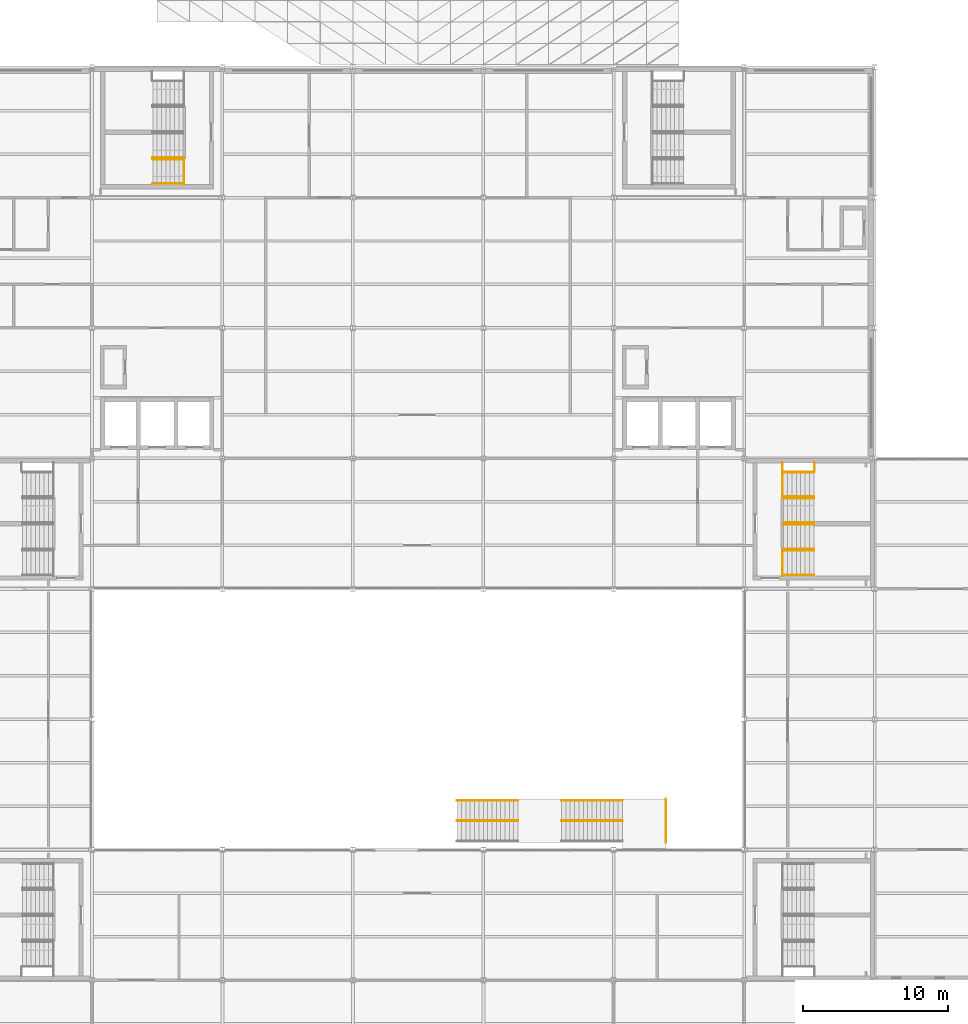
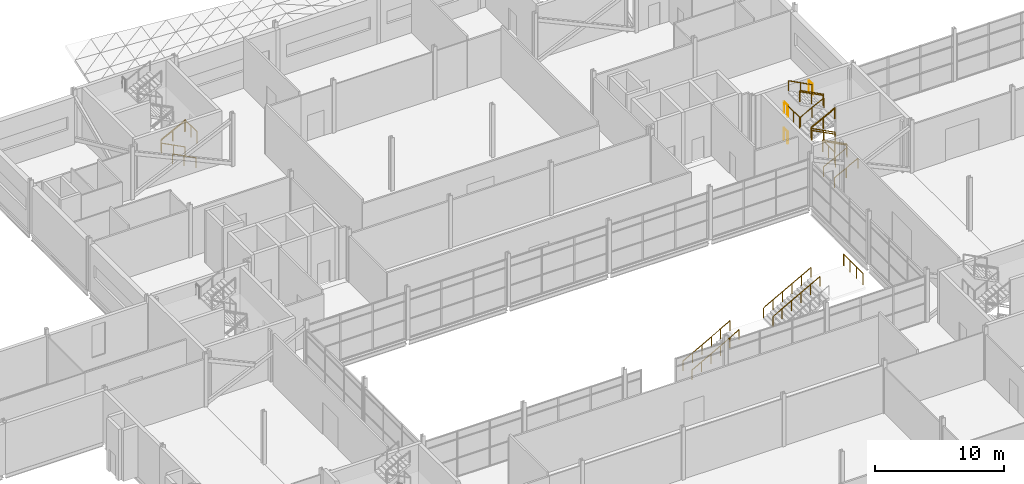
# One storey, part 110 of 112: 27 railings.
"""IFC4 building model written with IfcOpenShell, lengths in metres."""

from ifc_helpers import new_model, si_unit, direction, frame, origin, origin_2d, place, context, subcontext, project, spatial, circle, extrude, material, type_object, element, save


model = new_model("IFC4")

# Units and contexts
model_context = context("Model", 3, precision=1e-05, world=origin(), true_north=direction((0.0, 1.0)))
body_context = subcontext(model_context, "Body", "Model", "MODEL_VIEW")
ifc_project = project(units=[si_unit("LENGTHUNIT", "METRE"), si_unit("AREAUNIT", "SQUARE_METRE"), si_unit("VOLUMEUNIT", "CUBIC_METRE"), si_unit("PLANEANGLEUNIT", "RADIAN"), si_unit("MASSUNIT", "GRAM", prefix="KILO")], contexts=[model_context])

# Site, building, storey
site_placement = place(None, origin())
site = spatial("IfcSite", under=ifc_project, at=site_placement, CompositionType="ELEMENT")
building_placement = place(site_placement, origin())
building = spatial("IfcBuilding", under=site, at=building_placement, Name="Shorebreak Coast Museum", CompositionType="ELEMENT")
storey_placement = place(building_placement, frame((0.0, 0.0, 6.0)))
storey = spatial("IfcBuildingStorey", under=building, at=storey_placement, Name="L01", CompositionType="ELEMENT", Elevation=6.0)

# Railings
ifc_material_1 = material(Name="Steel Grade 300", Category="steel")
railing_type_1 = type_object("IfcRailingType", Name="Feature stair guard 1100", PredefinedType="GUARDRAIL", material=ifc_material_1)
railing_1_placement = place(storey_placement, frame((102.60009765625, 63.5, 5.0)))
element("IfcRailing", 1, at=railing_1_placement, inside=storey, type_object=railing_type_1, Name="Guard feature stair landing end", PredefinedType="GUARDRAIL", context=body_context, shape_type="SweptSolid", body=[
    extrude(circle(Radius=0.02490234375, at=origin_2d()), frame((0.0, 0.0, 1.0751953125), z_axis=(0.0, 1.0, 0.0), x_axis=(-1.0, 0.0, 0.0)), (0.0, 0.0, 1.0), 3.0),
    extrude(circle(Radius=0.02001953125, at=origin_2d()), origin(), (0.0, 0.0, 1.0), 1.050048828125),
    extrude(circle(Radius=0.02001953125, at=origin_2d()), frame((0.0, 1.0, 0.0)), (0.0, 0.0, 1.0), 1.050048828125),
    extrude(circle(Radius=0.02001953125, at=origin_2d()), frame((0.0, 2.0, 0.0)), (0.0, 0.0, 1.0), 1.050048828125),
    extrude(circle(Radius=0.02001953125, at=origin_2d()), frame((0.0, 3.0, 0.0)), (0.0, 0.0, 1.0), 1.050048828125),
])
ifc_material_2 = material(Name="Steel Grade 300", Category="steel")
railing_type_2 = type_object("IfcRailingType", Name="Feature stair handrail 950", PredefinedType="HANDRAIL", material=ifc_material_2)
for number, where, name in (
    (2, (88.199951171875, 66.39990234375, 0.166748046875), "Handrail feature stair flight 3N"),
    (3, (88.199951171875, 65.0, 0.166748046875), "Handrail feature stair flight 3C"),
):
    element("IfcRailing", number, at=place(storey_placement, frame(where)), inside=storey, type_object=railing_type_2, Name=name, PredefinedType="HANDRAIL", context=body_context, shape_type="SweptSolid", body=[
        extrude(circle(Radius=0.02490234375, at=origin_2d()), frame((0.0, 0.0, 0.9248046875), z_axis=(0.874162069901, 0.0, 0.485634302275), x_axis=(0.0, 1.0, 0.0)), (0.0, 0.0, 1.0), 4.804443359375),
        extrude(circle(Radius=0.02001953125, at=origin_2d()), origin(), (0.0, 0.0, 1.0), 0.89990234375),
        extrude(circle(Radius=0.02001953125, at=origin_2d()), frame((0.840087890625, 0.0, 0.466552734375)), (0.0, 0.0, 1.0), 0.89990234375),
        extrude(circle(Radius=0.02001953125, at=origin_2d()), frame((1.679931640625, 0.0, 0.933349609375)), (0.0, 0.0, 1.0), 0.89990234375),
        extrude(circle(Radius=0.02001953125, at=origin_2d()), frame((2.52001953125, 0.0, 1.39990234375)), (0.0, 0.0, 1.0), 0.89990234375),
        extrude(circle(Radius=0.02001953125, at=origin_2d()), frame((3.35986328125, 0.0, 1.86669921875)), (0.0, 0.0, 1.0), 0.89990234375),
        extrude(circle(Radius=0.02001953125, at=origin_2d()), frame((4.199951171875, 0.0, 2.333251953125)), (0.0, 0.0, 1.0), 0.89990234375),
    ])
for number, where, name in (
    (4, (95.39990234375, 66.39990234375, 2.666748046875), "Handrail feature stair flight 4N"),
    (5, (95.39990234375, 65.0, 2.666748046875), "Handrail feature stair flight 4C"),
):
    element("IfcRailing", number, at=place(storey_placement, frame(where)), inside=storey, type_object=railing_type_2, Name=name, PredefinedType="HANDRAIL", context=body_context, shape_type="SweptSolid", body=[
        extrude(circle(Radius=0.02490234375, at=origin_2d()), frame((0.0, 0.0, 0.9248046875), z_axis=(0.874174053232, 0.0, 0.485612731152), x_axis=(0.0, 1.0, 0.0)), (0.0, 0.0, 1.0), 4.8046875),
        extrude(circle(Radius=0.02001953125, at=origin_2d()), origin(), (0.0, 0.0, 1.0), 0.89990234375),
        extrude(circle(Radius=0.02001953125, at=origin_2d()), frame((0.840087890625, 0.0, 0.466552734375)), (0.0, 0.0, 1.0), 0.89990234375),
        extrude(circle(Radius=0.02001953125, at=origin_2d()), frame((1.68017578125, 0.0, 0.933349609375)), (0.0, 0.0, 1.0), 0.89990234375),
        extrude(circle(Radius=0.02001953125, at=origin_2d()), frame((2.52001953125, 0.0, 1.39990234375)), (0.0, 0.0, 1.0), 0.89990234375),
        extrude(circle(Radius=0.02001953125, at=origin_2d()), frame((3.360107421875, 0.0, 1.86669921875)), (0.0, 0.0, 1.0), 0.89990234375),
        extrude(circle(Radius=0.02001953125, at=origin_2d()), frame((4.2001953125, 0.0, 2.333251953125)), (0.0, 0.0, 1.0), 0.89990234375),
    ])
ifc_material_3 = material(Name="Steel Grade 300", Category="steel")
railing_type_3 = type_object("IfcRailingType", Name="Stair guard 1100", PredefinedType="GUARDRAIL", material=ifc_material_3)
for number, where, name in (
    (6, (110.64990234375, 81.89990234375, 2.5), "Guard ST04 L01 landing mid1"),
    (7, (110.64990234375, 87.300048828125, 2.5), "Guard ST04 L01 landing mid1"),
):
    element("IfcRailing", number, at=place(storey_placement, frame(where)), inside=storey, type_object=railing_type_3, Name=name, PredefinedType="GUARDRAIL", context=body_context, shape_type="SweptSolid", body=[
        extrude(circle(Radius=0.02490234375, at=origin_2d()), frame((0.0, 0.0, 1.0751953125), z_axis=(0.0, 1.0, 0.0), x_axis=(-1.0, 0.0, 0.0)), (0.0, 0.0, 1.0), 1.800048828125),
        extrude(circle(Radius=0.02001953125, at=origin_2d()), origin(), (0.0, 0.0, 1.0), 1.050048828125),
        extrude(circle(Radius=0.02001953125, at=origin_2d()), frame((0.0, 0.89990234375, 0.0)), (0.0, 0.0, 1.0), 1.050048828125),
        extrude(circle(Radius=0.02001953125, at=origin_2d()), frame((0.0, 1.800048828125, 0.0)), (0.0, 0.0, 1.0), 1.050048828125),
    ])
for number, where, name in (
    (8, (110.64990234375, 89.10009765625, 0.0), "Guard ST04 L01 landing strip"),
    (9, (110.64990234375, 89.10009765625, 2.5), "Guard ST04 L01 landing strip"),
    (10, (112.85009765625, 89.10009765625, 3.75), "Guard ST04 L01 landing strip"),
):
    element("IfcRailing", number, at=place(storey_placement, frame(where)), inside=storey, type_object=railing_type_3, Name=name, PredefinedType="GUARDRAIL", context=body_context, shape_type="SweptSolid", body=[
        extrude(circle(Radius=0.02490234375, at=origin_2d()), frame((0.0, 0.0, 1.0751953125), z_axis=(0.0, 1.0, 0.0), x_axis=(-1.0, 0.0, 0.0)), (0.0, 0.0, 1.0), 0.599853515625),
        extrude(circle(Radius=0.02001953125, at=origin_2d()), origin(), (0.0, 0.0, 1.0), 1.050048828125),
        extrude(circle(Radius=0.02001953125, at=origin_2d()), frame((0.0, 0.599853515625, 0.0)), (0.0, 0.0, 1.0), 1.050048828125),
    ])
for number, where, name in (
    (11, (112.800048828125, 83.699951171875, 1.40625), "Guard ST04-L01 well 1"),
    (12, (112.800048828125, 87.300048828125, 3.90625), "Guard ST04-L01 well 2"),
    (13, (112.800048828125, 85.5, 1.40625), "Guard ST04-L01 side 1"),
):
    element("IfcRailing", number, at=place(storey_placement, frame(where)), inside=storey, type_object=railing_type_3, Name=name, PredefinedType="GUARDRAIL", context=body_context, shape_type="SweptSolid", body=[
        extrude(circle(Radius=0.02490234375, at=origin_2d()), frame((0.0, 0.0, 1.0751953125), z_axis=(-0.8869228845, 0.0, 0.461917521804), x_axis=(0.0, -1.0, 0.0)), (0.0, 0.0, 1.0), 2.367919921875),
        extrude(circle(Radius=0.02001953125, at=origin_2d()), origin(), (0.0, 0.0, 1.0), 1.050048828125),
        extrude(circle(Radius=0.02001953125, at=origin_2d()), frame((-1.050048828125, 0.0, 0.546875)), (0.0, 0.0, 1.0), 1.050048828125),
        extrude(circle(Radius=0.02001953125, at=origin_2d()), frame((-2.10009765625, 0.0, 1.09375)), (0.0, 0.0, 1.0), 1.050048828125),
    ])
railing_2_placement = place(storey_placement, frame((110.699951171875, 85.5, 2.65625)))
element("IfcRailing", 14, at=railing_2_placement, inside=storey, type_object=railing_type_3, Name="Guard ST04-L01 side 2", PredefinedType="GUARDRAIL", context=body_context, shape_type="SweptSolid", body=[
    extrude(circle(Radius=0.02490234375, at=origin_2d()), frame((0.0, 0.0, 1.0751953125), z_axis=(0.8869228845, 0.0, 0.461917521804), x_axis=(0.0, 1.0, 0.0)), (0.0, 0.0, 1.0), 2.367919921875),
    extrude(circle(Radius=0.02001953125, at=origin_2d()), origin(), (0.0, 0.0, 1.0), 1.050048828125),
    extrude(circle(Radius=0.02001953125, at=origin_2d()), frame((1.050048828125, 0.0, 0.546875)), (0.0, 0.0, 1.0), 1.050048828125),
    extrude(circle(Radius=0.02001953125, at=origin_2d()), frame((2.10009765625, 0.0, 1.09375)), (0.0, 0.0, 1.0), 1.050048828125),
])
railing_3_placement = place(storey_placement, frame((69.35009765625, 108.89990234375, 2.5)))
element("IfcRailing", 15, at=railing_3_placement, inside=storey, type_object=railing_type_3, Name="Guard ST09 L01 landing mid1", PredefinedType="GUARDRAIL", context=body_context, shape_type="SweptSolid", body=[
    extrude(circle(Radius=0.02490234375, at=origin_2d()), frame((0.0, 0.0, 1.0751953125), z_axis=(0.0, 1.0, 0.0), x_axis=(-1.0, 0.0, 0.0)), (0.0, 0.0, 1.0), 1.800048828125),
    extrude(circle(Radius=0.02001953125, at=origin_2d()), origin(), (0.0, 0.0, 1.0), 1.050048828125),
    extrude(circle(Radius=0.02001953125, at=origin_2d()), frame((0.0, 0.89990234375, 0.0)), (0.0, 0.0, 1.0), 1.050048828125),
    extrude(circle(Radius=0.02001953125, at=origin_2d()), frame((0.0, 1.800048828125, 0.0)), (0.0, 0.0, 1.0), 1.050048828125),
])
railing_4_placement = place(storey_placement, frame((67.199951171875, 110.699951171875, 1.40625)))
element("IfcRailing", 16, at=railing_4_placement, inside=storey, type_object=railing_type_3, Name="Guard ST09-L01 well 1", PredefinedType="GUARDRAIL", context=body_context, shape_type="SweptSolid", body=[
    extrude(circle(Radius=0.02490234375, at=origin_2d()), frame((0.0, 0.0, 1.0751953125), z_axis=(0.8869228845, 0.0, 0.461917521804), x_axis=(0.0, 1.0, 0.0)), (0.0, 0.0, 1.0), 2.367919921875),
    extrude(circle(Radius=0.02001953125, at=origin_2d()), origin(), (0.0, 0.0, 1.0), 1.050048828125),
    extrude(circle(Radius=0.02001953125, at=origin_2d()), frame((1.050048828125, 0.0, 0.546875)), (0.0, 0.0, 1.0), 1.050048828125),
    extrude(circle(Radius=0.02001953125, at=origin_2d()), frame((2.10009765625, 0.0, 1.09375)), (0.0, 0.0, 1.0), 1.050048828125),
])
ifc_material_4 = material(Name="Steel Grade 300", Category="steel")
railing_type_4 = type_object("IfcRailingType", Name="Stair handrail 950", PredefinedType="HANDRAIL", material=ifc_material_4)
for number, where, name in (
    (17, (110.699951171875, 81.9599609375, 0.15625), "Handrail ST04-L01 flight 1a"),
    (18, (110.699951171875, 83.639892578125, 0.15625), "Handrail ST04-L01 flight 1b"),
):
    element("IfcRailing", number, at=place(storey_placement, frame(where)), inside=storey, type_object=railing_type_4, Name=name, PredefinedType="HANDRAIL", context=body_context, shape_type="SweptSolid", body=[
        extrude(circle(Radius=0.02490234375, at=origin_2d()), frame((0.0, 0.0, 0.9248046875), z_axis=(0.8869228845, 0.0, 0.461917521804), x_axis=(0.0, 1.0, 0.0)), (0.0, 0.0, 1.0), 2.367919921875),
        extrude(circle(Radius=0.02001953125, at=origin_2d()), origin(), (0.0, 0.0, 1.0), 0.89990234375),
        extrude(circle(Radius=0.02001953125, at=origin_2d()), frame((1.050048828125, 0.0, 0.546875)), (0.0, 0.0, 1.0), 0.89990234375),
        extrude(circle(Radius=0.02001953125, at=origin_2d()), frame((2.10009765625, 0.0, 1.09375)), (0.0, 0.0, 1.0), 0.89990234375),
    ])
for number, where, name in (
    (19, (112.800048828125, 83.760009765625, 1.40625), "Handrail ST04-L01 flight 2a"),
    (20, (112.800048828125, 85.43994140625, 1.40625), "Handrail ST04-L01 flight 2b"),
):
    element("IfcRailing", number, at=place(storey_placement, frame(where)), inside=storey, type_object=railing_type_4, Name=name, PredefinedType="HANDRAIL", context=body_context, shape_type="SweptSolid", body=[
        extrude(circle(Radius=0.02490234375, at=origin_2d()), frame((0.0, 0.0, 0.9248046875), z_axis=(-0.8869228845, 0.0, 0.461917521804), x_axis=(0.0, -1.0, 0.0)), (0.0, 0.0, 1.0), 2.367919921875),
        extrude(circle(Radius=0.02001953125, at=origin_2d()), origin(), (0.0, 0.0, 1.0), 0.89990234375),
        extrude(circle(Radius=0.02001953125, at=origin_2d()), frame((-1.050048828125, 0.0, 0.546875)), (0.0, 0.0, 1.0), 0.89990234375),
        extrude(circle(Radius=0.02001953125, at=origin_2d()), frame((-2.10009765625, 0.0, 1.09375)), (0.0, 0.0, 1.0), 0.89990234375),
    ])
for number, where, name in (
    (21, (110.699951171875, 85.56005859375, 2.65625), "Handrail ST04-L01 flight 3a"),
    (22, (110.699951171875, 87.239990234375, 2.65625), "Handrail ST04-L01 flight 3b"),
):
    element("IfcRailing", number, at=place(storey_placement, frame(where)), inside=storey, type_object=railing_type_4, Name=name, PredefinedType="HANDRAIL", context=body_context, shape_type="SweptSolid", body=[
        extrude(circle(Radius=0.02490234375, at=origin_2d()), frame((0.0, 0.0, 0.9248046875), z_axis=(0.8869228845, 0.0, 0.461917521804), x_axis=(0.0, 1.0, 0.0)), (0.0, 0.0, 1.0), 2.367919921875),
        extrude(circle(Radius=0.02001953125, at=origin_2d()), origin(), (0.0, 0.0, 1.0), 0.89990234375),
        extrude(circle(Radius=0.02001953125, at=origin_2d()), frame((1.050048828125, 0.0, 0.546875)), (0.0, 0.0, 1.0), 0.89990234375),
        extrude(circle(Radius=0.02001953125, at=origin_2d()), frame((2.10009765625, 0.0, 1.09375)), (0.0, 0.0, 1.0), 0.89990234375),
    ])
for number, where, name in (
    (23, (112.800048828125, 87.360107421875, 3.90625), "Handrail ST04-L01 flight 4a"),
    (24, (112.800048828125, 89.0400390625, 3.90625), "Handrail ST04-L01 flight 4b"),
    (25, (69.300048828125, 108.9599609375, 0.15625), "Handrail ST09-L01 flight 1a"),
    (26, (69.300048828125, 110.639892578125, 0.15625), "Handrail ST09-L01 flight 1b"),
):
    element("IfcRailing", number, at=place(storey_placement, frame(where)), inside=storey, type_object=railing_type_4, Name=name, PredefinedType="HANDRAIL", context=body_context, shape_type="SweptSolid", body=[
        extrude(circle(Radius=0.02490234375, at=origin_2d()), frame((0.0, 0.0, 0.9248046875), z_axis=(-0.8869228845, 0.0, 0.461917521804), x_axis=(0.0, -1.0, 0.0)), (0.0, 0.0, 1.0), 2.367919921875),
        extrude(circle(Radius=0.02001953125, at=origin_2d()), origin(), (0.0, 0.0, 1.0), 0.89990234375),
        extrude(circle(Radius=0.02001953125, at=origin_2d()), frame((-1.050048828125, 0.0, 0.546875)), (0.0, 0.0, 1.0), 0.89990234375),
        extrude(circle(Radius=0.02001953125, at=origin_2d()), frame((-2.10009765625, 0.0, 1.09375)), (0.0, 0.0, 1.0), 0.89990234375),
    ])
railing_5_placement = place(storey_placement, frame((67.199951171875, 110.760009765625, 1.40625)))
element("IfcRailing", 27, at=railing_5_placement, inside=storey, type_object=railing_type_4, Name="Handrail ST09-L01 flight 2a", PredefinedType="HANDRAIL", context=body_context, shape_type="SweptSolid", body=[
    extrude(circle(Radius=0.02490234375, at=origin_2d()), frame((0.0, 0.0, 0.9248046875), z_axis=(0.8869228845, 0.0, 0.461917521804), x_axis=(0.0, 1.0, 0.0)), (0.0, 0.0, 1.0), 2.367919921875),
    extrude(circle(Radius=0.02001953125, at=origin_2d()), origin(), (0.0, 0.0, 1.0), 0.89990234375),
    extrude(circle(Radius=0.02001953125, at=origin_2d()), frame((1.050048828125, 0.0, 0.546875)), (0.0, 0.0, 1.0), 0.89990234375),
    extrude(circle(Radius=0.02001953125, at=origin_2d()), frame((2.10009765625, 0.0, 1.09375)), (0.0, 0.0, 1.0), 0.89990234375),
])

save(model, "model.ifc")
